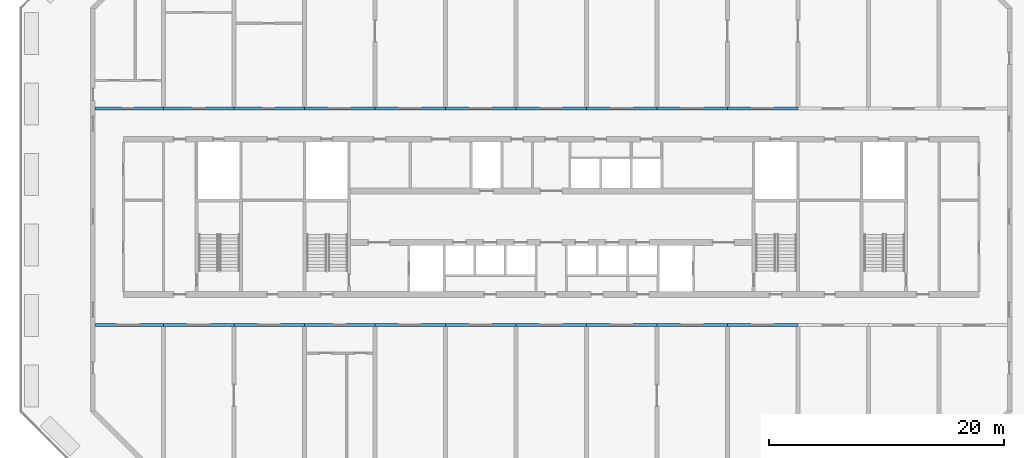
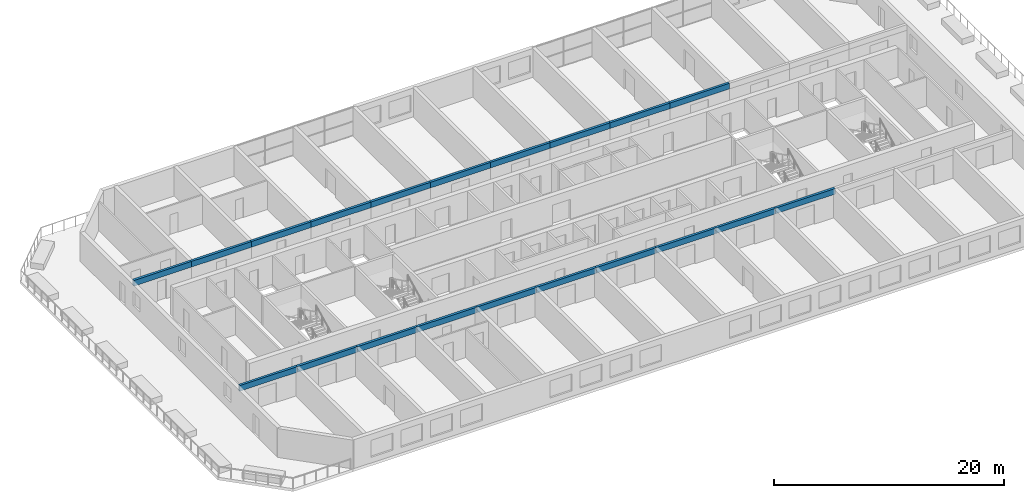
# One storey, part 1 of 18: 20 beams.
"""IFC4 building model written with IfcOpenShell, lengths in metres."""

from ifc_helpers import new_model, si_unit, direction, frame, origin, origin_2d, place, context, subcontext, project, spatial, rectangle, extrude, source, transform, mapped, material, material_profile, profile_set, type_object, element, save


model = new_model("IFC4")

# Units and contexts
model_context = context("Model", 3, precision=1e-05, world=origin(), true_north=direction((0.0, 1.0)))
body_context = subcontext(model_context, "Body", "Model", "MODEL_VIEW")
ifc_project = project(units=[si_unit("LENGTHUNIT", "METRE"), si_unit("AREAUNIT", "SQUARE_METRE"), si_unit("VOLUMEUNIT", "CUBIC_METRE"), si_unit("PLANEANGLEUNIT", "RADIAN"), si_unit("MASSUNIT", "GRAM", prefix="KILO")], contexts=[model_context])

# Site, building, storey
site_placement = place(None, origin())
site = spatial("IfcSite", under=ifc_project, at=site_placement, CompositionType="ELEMENT")
building_placement = place(site_placement, origin())
building = spatial("IfcBuilding", under=site, at=building_placement, Name="Poui Terraces", CompositionType="ELEMENT")
storey_placement = place(building_placement, frame((0.0, 0.0, 105.89990234375)))
storey = spatial("IfcBuildingStorey", under=building, at=storey_placement, Name="L29", CompositionType="ELEMENT", Elevation=105.89990234375)

# Beams
ifc_material = material(Name="Concrete 65 MPa", Category="concrete")
ifc_material_profile = material_profile(ifc_material, rectangle(XDim=0.25, YDim=0.60009765625, at=origin_2d()), Name="RC 250x600")
ifc_profile_set = profile_set([ifc_material_profile], Name="Concrete 65 MPa")
beam_type = type_object("IfcBeamType", Name="COUPLING BEAM 250x600 65MPa", PredefinedType="BEAM", material=ifc_profile_set)
shared_shape_1 = source(origin(), body_context, "Body", "SweptSolid", [
    extrude(rectangle(XDim=0.25, YDim=0.60009765625, at=origin_2d()), origin(), (0.0, 0.0, 1.0), 5.800048828125),
])
for number, where, z_axis, x_axis, name in (
    (1, (12.199951171875, 12.0, 2.760009765625), (1.0, 0.0, 0.0), (0.0, 1.0, 0.0), "COUPLING BEAM LINE B BAY 1"),
    (2, (12.199951171875, 30.39990234375, 2.760009765625), (1.0, 0.0, 0.0), (0.0, 1.0, 0.0), "COUPLING BEAM LINE E BAY 1"),
):
    element("IfcBeam", number, at=place(storey_placement, frame(where, z_axis=z_axis, x_axis=x_axis)), inside=storey, type_object=beam_type, Name=name, PredefinedType="BEAM", context=body_context, shape_type="MappedRepresentation", body=[
        mapped(shared_shape_1, transform((0.0, 0.0, 0.0))),
    ])
shared_shape_2 = source(origin(), body_context, "Body", "SweptSolid", [
    extrude(rectangle(XDim=0.25, YDim=0.60009765625, at=origin_2d()), origin(), (0.0, 0.0, 1.0), 6.0),
])
for number, where, z_axis, x_axis, name in (
    (3, (18.0, 12.0, 2.760009765625), (1.0, 0.0, 0.0), (0.0, 1.0, 0.0), "COUPLING BEAM LINE B BAY 2"),
    (4, (24.0, 12.0, 2.760009765625), (1.0, 0.0, 0.0), (0.0, 1.0, 0.0), "COUPLING BEAM LINE B BAY 3"),
    (5, (30.0, 12.0, 2.760009765625), (1.0, 0.0, 0.0), (0.0, 1.0, 0.0), "COUPLING BEAM LINE B BAY 4"),
    (6, (36.0, 12.0, 2.760009765625), (1.0, 0.0, 0.0), (0.0, 1.0, 0.0), "COUPLING BEAM LINE B BAY 5"),
    (7, (42.0, 12.0, 2.760009765625), (1.0, 0.0, 0.0), (0.0, 1.0, 0.0), "COUPLING BEAM LINE B BAY 6"),
    (8, (48.0, 12.0, 2.760009765625), (1.0, 0.0, 0.0), (0.0, 1.0, 0.0), "COUPLING BEAM LINE B BAY 7"),
    (9, (54.0, 12.0, 2.760009765625), (1.0, 0.0, 0.0), (0.0, 1.0, 0.0), "COUPLING BEAM LINE B BAY 8"),
    (10, (60.0, 12.0, 2.760009765625), (1.0, 0.0, 0.0), (0.0, 1.0, 0.0), "COUPLING BEAM LINE B BAY 9"),
    (11, (66.0, 12.0, 2.760009765625), (1.0, 0.0, 0.0), (0.0, 1.0, 0.0), "COUPLING BEAM LINE B BAY 10"),
    (12, (18.0, 30.39990234375, 2.760009765625), (1.0, 0.0, 0.0), (0.0, 1.0, 0.0), "COUPLING BEAM LINE E BAY 2"),
    (13, (24.0, 30.39990234375, 2.760009765625), (1.0, 0.0, 0.0), (0.0, 1.0, 0.0), "COUPLING BEAM LINE E BAY 3"),
    (14, (30.0, 30.39990234375, 2.760009765625), (1.0, 0.0, 0.0), (0.0, 1.0, 0.0), "COUPLING BEAM LINE E BAY 4"),
    (15, (36.0, 30.39990234375, 2.760009765625), (1.0, 0.0, 0.0), (0.0, 1.0, 0.0), "COUPLING BEAM LINE E BAY 5"),
    (16, (42.0, 30.39990234375, 2.760009765625), (1.0, 0.0, 0.0), (0.0, 1.0, 0.0), "COUPLING BEAM LINE E BAY 6"),
    (17, (48.0, 30.39990234375, 2.760009765625), (1.0, 0.0, 0.0), (0.0, 1.0, 0.0), "COUPLING BEAM LINE E BAY 7"),
    (18, (54.0, 30.39990234375, 2.760009765625), (1.0, 0.0, 0.0), (0.0, 1.0, 0.0), "COUPLING BEAM LINE E BAY 8"),
    (19, (60.0, 30.39990234375, 2.760009765625), (1.0, 0.0, 0.0), (0.0, 1.0, 0.0), "COUPLING BEAM LINE E BAY 9"),
    (20, (66.0, 30.39990234375, 2.760009765625), (1.0, 0.0, 0.0), (0.0, 1.0, 0.0), "COUPLING BEAM LINE E BAY 10"),
):
    element("IfcBeam", number, at=place(storey_placement, frame(where, z_axis=z_axis, x_axis=x_axis)), inside=storey, type_object=beam_type, Name=name, PredefinedType="BEAM", context=body_context, shape_type="MappedRepresentation", body=[
        mapped(shared_shape_2, transform((0.0, 0.0, 0.0))),
    ])

save(model, "model.ifc")
